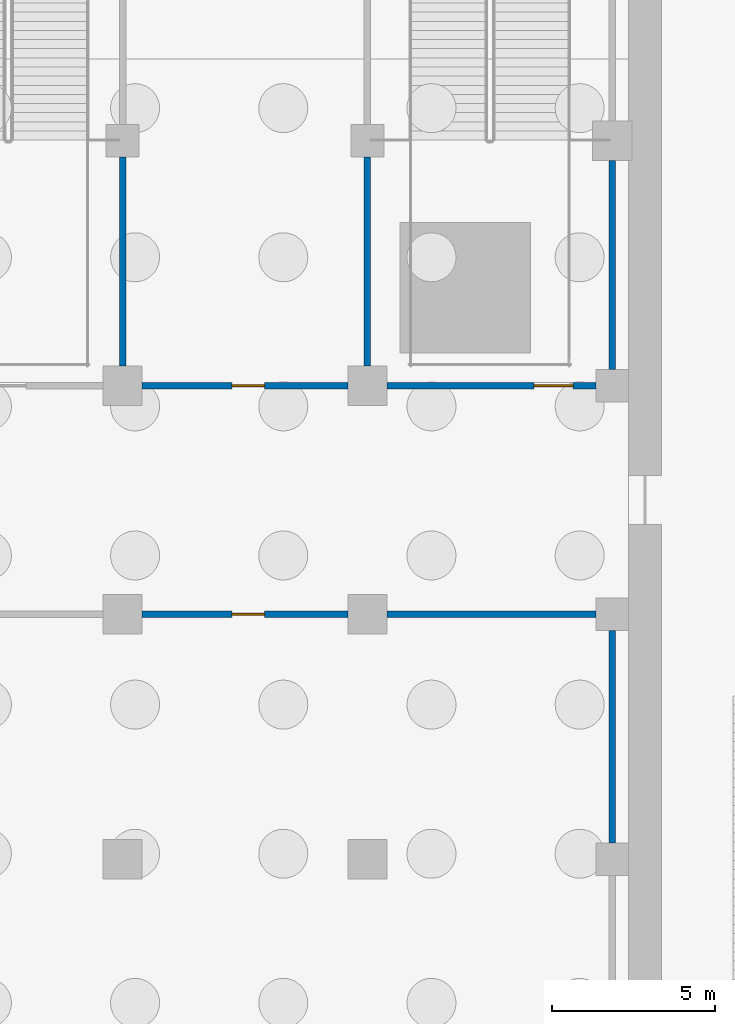
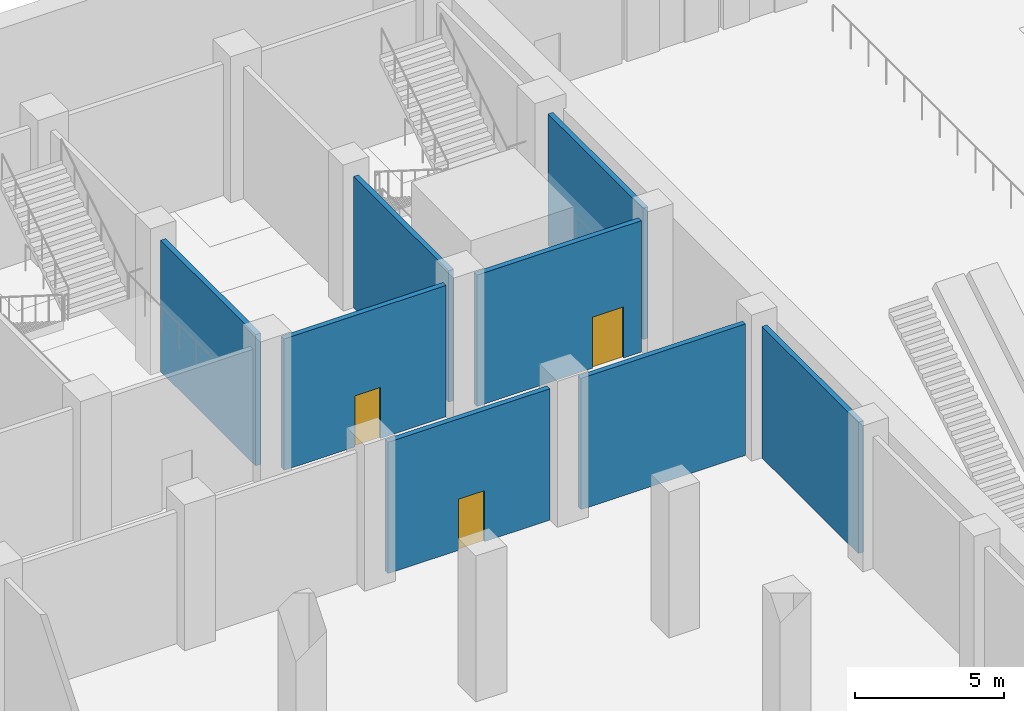
# One storey, part 13 of 39: 8 walls, 3 doors, 3 openings.
"""IFC4 building model written with IfcOpenShell, lengths in metres."""

from ifc_helpers import new_model, si_unit, direction, frame, frame_2d, origin, place, context, subcontext, project, spatial, rectangle, extrude, material, layer, layer_set, type_object, element, fill, save


model = new_model("IFC4")

# Units and contexts
model_context = context("Model", 3, precision=1e-05, world=origin(), true_north=direction((0.0, 1.0)))
body_context = subcontext(model_context, "Body", "Model", "MODEL_VIEW")
ifc_project = project(units=[si_unit("LENGTHUNIT", "METRE"), si_unit("AREAUNIT", "SQUARE_METRE"), si_unit("VOLUMEUNIT", "CUBIC_METRE"), si_unit("PLANEANGLEUNIT", "RADIAN"), si_unit("MASSUNIT", "GRAM", prefix="KILO")], contexts=[model_context])

# Site, building, storey
site_placement = place(None, origin())
site = spatial("IfcSite", under=ifc_project, at=site_placement, CompositionType="ELEMENT")
building_placement = place(site_placement, origin())
building = spatial("IfcBuilding", under=site, at=building_placement, Name="Tamorin Gate", CompositionType="ELEMENT")
storey_placement = place(building_placement, frame((0.0, 0.0, -12.0)))
storey = spatial("IfcBuildingStorey", under=building, at=storey_placement, Name="B2", CompositionType="ELEMENT", Elevation=-12.0)

# Wall, opening, door
ifc_material_1 = material(Name="Concrete masonry C20/25", Category="masonry")
ifc_layer_1 = layer(ifc_material_1, 0.199951171875)
ifc_layer_set_1 = layer_set([ifc_layer_1], Name="Plant room wall 200")
wall_type_1 = type_object("IfcWallType", Name="Plant room wall 200", PredefinedType="PARTITIONING", material=ifc_layer_set_1)
wall_1_placement = place(storey_placement, frame((75.10009765625, 90.0, 0.0), z_axis=(0.0, 0.0, 1.0), x_axis=(1.0, 0.0, 0.0)))
wall_1 = element("IfcWall", 1, at=wall_1_placement, inside=storey, type_object=wall_type_1, Name="Plant room wall 200 B2", PredefinedType="PARTITIONING", context=body_context, shape_type="SweptSolid", body=[
    extrude(rectangle(XDim=6.2998046875, YDim=0.199951171875, at=frame_2d((3.14990234375, 0.0))), origin(), (0.0, 0.0, 1.0), 5.39990234375),
])
opening_1_placement = place(wall_1_placement, frame((2.75, 0.0, 0.0)))
opening_1 = element("IfcOpeningElement", 2, at=opening_1_placement, cuts=wall_1, Name="Opening DP2", PredefinedType="OPENING", context=body_context, shape_type="SweptSolid", body=[
    extrude(rectangle(XDim=1.0, YDim=2.10009765625, at=frame_2d((0.5, 1.050048828125))), frame((0.0, 0.10986328125, 0.0), z_axis=(0.0, -1.0, 0.0), x_axis=(1.0, 0.0, 0.0)), (0.0, 0.0, 1.0), 0.219970703125),
])
ifc_material_2 = material(Name="Painted steel", Category="steel")
door_type_1 = type_object("IfcDoorType", Name="Door single 1000", OperationType="SINGLE_SWING_LEFT", PredefinedType="DOOR", material=ifc_material_2)
door_1_placement = place(opening_1_placement, origin())
door_1 = element("IfcDoor", 3, at=door_1_placement, inside=storey, type_object=door_type_1, Name="Door single 1000 B2", OperationType="SINGLE_SWING_LEFT", OverallHeight=2.10009765625, OverallWidth=1.0, PredefinedType="DOOR", context=body_context, shape_type="SweptSolid", body=[
    extrude(rectangle(XDim=1.0, YDim=2.10009765625, at=frame_2d((0.5, 1.050048828125))), frame((0.0, 0.02490234375, 0.0), z_axis=(0.0, -1.0, 0.0), x_axis=(1.0, 0.0, 0.0)), (0.0, 0.0, 1.0), 0.050048828125),
])
fill(opening_1, door_1)

# Wall
wall_2_placement = place(storey_placement, frame((82.60009765625, 90.0, 0.0), z_axis=(0.0, 0.0, 1.0), x_axis=(1.0, 0.0, 0.0)))
element("IfcWall", 4, at=wall_2_placement, inside=storey, type_object=wall_type_1, Name="Plant room wall 200 B2", PredefinedType="PARTITIONING", context=body_context, shape_type="SweptSolid", body=[
    extrude(rectangle(XDim=6.39990234375, YDim=0.199951171875, at=frame_2d((3.199951171875, 0.0))), origin(), (0.0, 0.0, 1.0), 5.39990234375),
])

# Wall, opening, door
wall_3_placement = place(storey_placement, frame((81.39990234375, 97.0, 0.0), z_axis=(0.0, 0.0, 1.0), x_axis=(-1.0, 0.0, 0.0)))
wall_3 = element("IfcWall", 5, at=wall_3_placement, inside=storey, type_object=wall_type_1, Name="Plant room wall 200 B2", PredefinedType="PARTITIONING", context=body_context, shape_type="SweptSolid", body=[
    extrude(rectangle(XDim=6.2998046875, YDim=0.199951171875, at=frame_2d((3.14990234375, 0.0))), origin(), (0.0, 0.0, 1.0), 5.39990234375),
])
opening_2_placement = place(wall_3_placement, frame((2.550048828125, 0.0, 0.0)))
opening_2 = element("IfcOpeningElement", 6, at=opening_2_placement, cuts=wall_3, Name="Opening DP2", PredefinedType="OPENING", context=body_context, shape_type="SweptSolid", body=[
    extrude(rectangle(XDim=1.0, YDim=2.10009765625, at=frame_2d((0.5, 1.050048828125))), frame((0.0, 0.10986328125, 0.0), z_axis=(0.0, -1.0, 0.0), x_axis=(1.0, 0.0, 0.0)), (0.0, 0.0, 1.0), 0.219970703125),
])
door_2_placement = place(opening_2_placement, origin())
door_2 = element("IfcDoor", 7, at=door_2_placement, inside=storey, type_object=door_type_1, Name="Door single 1000 B2", OperationType="SINGLE_SWING_LEFT", OverallHeight=2.10009765625, OverallWidth=1.0, PredefinedType="DOOR", context=body_context, shape_type="SweptSolid", body=[
    extrude(rectangle(XDim=1.0, YDim=2.10009765625, at=frame_2d((0.5, 1.050048828125))), frame((0.0, 0.02490234375, 0.0), z_axis=(0.0, -1.0, 0.0), x_axis=(1.0, 0.0, 0.0)), (0.0, 0.0, 1.0), 0.050048828125),
])
fill(opening_2, door_2)

# Wall
wall_4_placement = place(storey_placement, frame((89.5, 83.0, 0.0), z_axis=(0.0, 0.0, 1.0), x_axis=(0.0, 1.0, 0.0)))
element("IfcWall", 8, at=wall_4_placement, inside=storey, type_object=wall_type_1, Name="Plant room wall 200 B2", PredefinedType="PARTITIONING", context=body_context, shape_type="SweptSolid", body=[
    extrude(rectangle(XDim=6.5, YDim=0.199951171875, at=frame_2d((3.25, 0.0))), origin(), (0.0, 0.0, 1.0), 5.39990234375),
])

# Wall, opening, door
ifc_material_3 = material(Name="Concrete C40/50", Category="concrete")
ifc_layer_2 = layer(ifc_material_3, 0.199951171875)
ifc_layer_set_2 = layer_set([ifc_layer_2], Name="Stair enclosure 200")
wall_type_2 = type_object("IfcWallType", Name="Stair enclosure 200", PredefinedType="SHEAR", material=ifc_layer_set_2)
wall_5_placement = place(storey_placement, frame((82.60009765625, 97.0, 0.0), z_axis=(0.0, 0.0, 1.0), x_axis=(1.0, 0.0, 0.0)))
wall_5 = element("IfcWall", 9, at=wall_5_placement, inside=storey, type_object=wall_type_2, Name="Stair enclosure 200 B2", PredefinedType="SHEAR", context=body_context, shape_type="SweptSolid", body=[
    extrude(rectangle(XDim=6.39990234375, YDim=0.199951171875, at=frame_2d((3.199951171875, 0.0))), origin(), (0.0, 0.0, 1.0), 5.39990234375),
])
opening_3_placement = place(wall_5_placement, frame((4.5, 0.0, 0.0)))
opening_3 = element("IfcOpeningElement", 10, at=opening_3_placement, cuts=wall_5, Name="Opening DP5", PredefinedType="OPENING", context=body_context, shape_type="SweptSolid", body=[
    extrude(rectangle(XDim=1.199951171875, YDim=2.10009765625, at=frame_2d((0.60009765625, 1.050048828125))), frame((0.0, 0.10986328125, 0.0), z_axis=(0.0, -1.0, 0.0), x_axis=(1.0, 0.0, 0.0)), (0.0, 0.0, 1.0), 0.219970703125),
])
door_type_2 = type_object("IfcDoorType", Name="Stair door 1200", OperationType="SINGLE_SWING_LEFT", PredefinedType="DOOR", material=ifc_material_2)
door_3_placement = place(opening_3_placement, origin())
door_3 = element("IfcDoor", 11, at=door_3_placement, inside=storey, type_object=door_type_2, Name="Stair door 1200 B2", OperationType="SINGLE_SWING_LEFT", OverallHeight=2.10009765625, OverallWidth=1.199951171875, PredefinedType="DOOR", context=body_context, shape_type="SweptSolid", body=[
    extrude(rectangle(XDim=1.199951171875, YDim=2.10009765625, at=frame_2d((0.60009765625, 1.050048828125))), frame((0.0, 0.02490234375, 0.0), z_axis=(0.0, -1.0, 0.0), x_axis=(1.0, 0.0, 0.0)), (0.0, 0.0, 1.0), 0.050048828125),
])
fill(opening_3, door_3)

# Walls
for number, where, z_axis, x_axis, name in (
    (12, (74.5, 97.60009765625, 0.0), (0.0, 0.0, 1.0), (0.0, 1.0, 0.0), "Stair enclosure 200 B2"),
    (13, (82.0, 97.60009765625, 0.0), (0.0, 0.0, 1.0), (0.0, 1.0, 0.0), "Stair enclosure 200 B2"),
    (14, (89.5, 97.5, 0.0), (0.0, 0.0, 1.0), (0.0, 1.0, 0.0), "Stair enclosure 200 B2"),
):
    element("IfcWall", number, at=place(storey_placement, frame(where, z_axis=z_axis, x_axis=x_axis)), inside=storey, type_object=wall_type_2, Name=name, PredefinedType="SHEAR", context=body_context, shape_type="SweptSolid", body=[
        extrude(rectangle(XDim=6.39990234375, YDim=0.199951171875, at=frame_2d((3.199951171875, 0.0))), origin(), (0.0, 0.0, 1.0), 5.39990234375),
    ])

save(model, "model.ifc")
